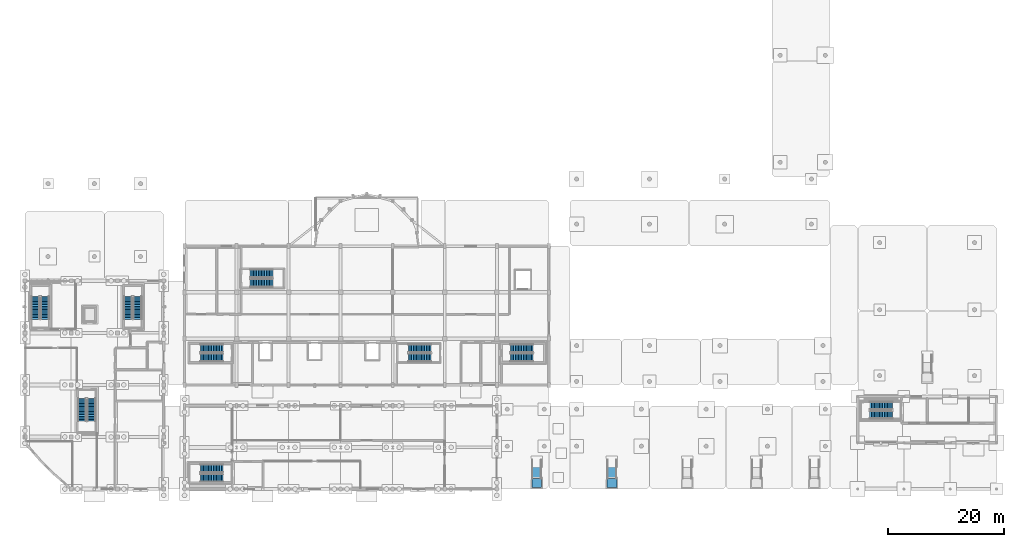
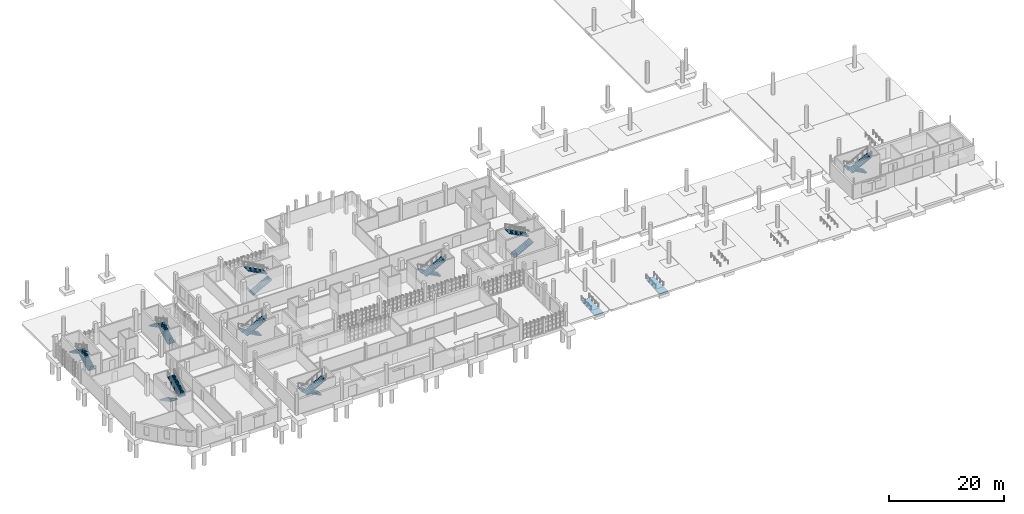
# One storey, part 47 of 63: 18 stair flights, 2 ramps, 2 ramp flights, 9 elements without a shape of their own.
"""IFC4 building model written with IfcOpenShell, lengths in metres."""

from ifc_helpers import new_model, si_unit, direction, frame, origin, place, context, subcontext, project, spatial, polyline, outline, extrude, material, layer, layer_set, type_object, element, aggregate, save


model = new_model("IFC4")

# Units and contexts
model_context = context("Model", 3, precision=1e-05, world=origin(), true_north=direction((0.0, 1.0)))
body_context = subcontext(model_context, "Body", "Model", "MODEL_VIEW")
ifc_project = project(units=[si_unit("LENGTHUNIT", "METRE"), si_unit("AREAUNIT", "SQUARE_METRE"), si_unit("VOLUMEUNIT", "CUBIC_METRE"), si_unit("PLANEANGLEUNIT", "RADIAN"), si_unit("MASSUNIT", "GRAM", prefix="KILO")], contexts=[model_context])

# Site, building, storey
site_placement = place(None, origin())
site = spatial("IfcSite", under=ifc_project, at=site_placement, CompositionType="ELEMENT")
building_placement = place(site_placement, origin())
building = spatial("IfcBuilding", under=site, at=building_placement, Name="Serraforn Aerial Cableway Station", CompositionType="ELEMENT")
storey_placement = place(building_placement, origin())
storey = spatial("IfcBuildingStorey", under=building, at=storey_placement, Name="L00", CompositionType="ELEMENT", Elevation=0.0)

# Stair, stair flights
ifc_material = material(Name="Concrete C35/45", Category="concrete")
stair_type_1 = type_object("IfcStairType", Name="STR-DL-1", PredefinedType="HALF_TURN_STAIR", material=ifc_material)
stair_1_placement = place(storey_placement, origin())
stair_1 = element("IfcStair", 1, at=stair_1_placement, inside=storey, type_object=stair_type_1, Name="L00 West Wing North Exit Stair 1", PredefinedType="HALF_TURN_STAIR")
stair_flight_type_1 = type_object("IfcStairFlightType", Name="SFL-DL-1", PredefinedType="STRAIGHT", material=ifc_material)
stair_flight_1_placement = place(storey_placement, frame((3.47509765625, 29.35009765625, 0.0), z_axis=(0.0, 0.0, 1.0), x_axis=(0.0, 1.0, 0.0)))
stair_flight_1 = element("IfcStairFlight", 2, at=stair_flight_1_placement, type_object=stair_flight_type_1, Name="ST-01 flight 1", NumberOfRisers=15, NumberOfTreads=14, PredefinedType="STRAIGHT", RiserHeight=0.15, TreadLength=0.28, context=body_context, shape_type="SweptSolid", body=[
    extrude(outline(polyline([(0.0, 0.0), (0.0, 0.14990234375), (0.280029296875, 0.14990234375), (0.280029296875, 0.300048828125), (0.56005859375, 0.300048828125), (0.56005859375, 0.449951171875), (0.840087890625, 0.449951171875), (0.840087890625, 0.60009765625), (1.1201171875, 0.60009765625), (1.1201171875, 0.75), (1.39990234375, 0.75), (1.39990234375, 0.89990234375), (1.679931640625, 0.89990234375), (1.679931640625, 1.050048828125), (1.9599609375, 1.050048828125), (1.9599609375, 1.199951171875), (2.239990234375, 1.199951171875), (2.239990234375, 1.35009765625), (2.52001953125, 1.35009765625), (2.52001953125, 1.5), (2.800048828125, 1.5), (2.800048828125, 1.64990234375), (3.080078125, 1.64990234375), (3.080078125, 1.800048828125), (3.360107421875, 1.800048828125), (3.360107421875, 1.949951171875), (3.639892578125, 1.949951171875), (3.639892578125, 2.10009765625), (3.919921875, 2.10009765625), (3.919921875, 2.25), (3.919921875, 1.929931640625), (0.3173828125, 0.0), (0.0, 0.0)])), frame((0.0, 0.72509765625, 0.0), z_axis=(0.0, -1.0, 0.0), x_axis=(1.0, 0.0, 0.0)), (0.0, 0.0, 1.0), 1.449951171875),
])
stair_flight_2_placement = place(storey_placement, frame((1.864990234375, 33.27001953125, 2.25), z_axis=(0.0, 0.0, 1.0), x_axis=(0.0, -1.0, 0.0)))
stair_flight_2 = element("IfcStairFlight", 3, at=stair_flight_2_placement, type_object=stair_flight_type_1, Name="ST-01 flight 2", NumberOfRisers=15, NumberOfTreads=14, PredefinedType="STRAIGHT", RiserHeight=0.15, TreadLength=0.28, context=body_context, shape_type="SweptSolid", body=[
    extrude(outline(polyline([(0.0, 0.0), (0.0, 0.14990234375), (0.280029296875, 0.14990234375), (0.280029296875, 0.300048828125), (0.56005859375, 0.300048828125), (0.56005859375, 0.449951171875), (0.840087890625, 0.449951171875), (0.840087890625, 0.60009765625), (1.1201171875, 0.60009765625), (1.1201171875, 0.75), (1.39990234375, 0.75), (1.39990234375, 0.89990234375), (1.679931640625, 0.89990234375), (1.679931640625, 1.050048828125), (1.9599609375, 1.050048828125), (1.9599609375, 1.199951171875), (2.239990234375, 1.199951171875), (2.239990234375, 1.35009765625), (2.52001953125, 1.35009765625), (2.52001953125, 1.5), (2.800048828125, 1.5), (2.800048828125, 1.64990234375), (3.080078125, 1.64990234375), (3.080078125, 1.800048828125), (3.360107421875, 1.800048828125), (3.360107421875, 1.949951171875), (3.639892578125, 1.949951171875), (3.639892578125, 2.10009765625), (3.919921875, 2.10009765625), (3.919921875, 2.25), (3.919921875, 1.929931640625), (0.3173828125, 0.0), (0.0, 0.0)])), frame((0.0, 0.72509765625, 0.0), z_axis=(0.0, -1.0, 0.0), x_axis=(1.0, 0.0, 0.0)), (0.0, 0.0, 1.0), 1.449951171875),
])
aggregate(stair_1, [stair_flight_1, stair_flight_2])

stair_2_placement = place(storey_placement, origin())
stair_2 = element("IfcStair", 4, at=stair_2_placement, inside=storey, type_object=stair_type_1, Name="L00 Vault West Protected Exit Stair 3", PredefinedType="HALF_TURN_STAIR")
stair_flight_3_placement = place(storey_placement, frame((34.25, 24.3349609375, 0.0), z_axis=(0.0, 0.0, 1.0), x_axis=(-1.0, 0.0, 0.0)))
stair_flight_3 = element("IfcStairFlight", 5, at=stair_flight_3_placement, type_object=stair_flight_type_1, Name="ST-03 flight 1", NumberOfRisers=15, NumberOfTreads=14, PredefinedType="STRAIGHT", RiserHeight=0.15, TreadLength=0.28, context=body_context, shape_type="SweptSolid", body=[
    extrude(outline(polyline([(0.0, 0.0), (0.0, 0.14990234375), (0.280029296875, 0.14990234375), (0.280029296875, 0.300048828125), (0.56005859375, 0.300048828125), (0.56005859375, 0.449951171875), (0.840087890625, 0.449951171875), (0.840087890625, 0.60009765625), (1.1201171875, 0.60009765625), (1.1201171875, 0.75), (1.39990234375, 0.75), (1.39990234375, 0.89990234375), (1.679931640625, 0.89990234375), (1.679931640625, 1.050048828125), (1.9599609375, 1.050048828125), (1.9599609375, 1.199951171875), (2.239990234375, 1.199951171875), (2.239990234375, 1.35009765625), (2.52001953125, 1.35009765625), (2.52001953125, 1.5), (2.800048828125, 1.5), (2.800048828125, 1.64990234375), (3.080078125, 1.64990234375), (3.080078125, 1.800048828125), (3.360107421875, 1.800048828125), (3.360107421875, 1.949951171875), (3.639892578125, 1.949951171875), (3.639892578125, 2.10009765625), (3.919921875, 2.10009765625), (3.919921875, 2.25), (3.919921875, 1.929931640625), (0.3173828125, 0.0), (0.0, 0.0)])), frame((0.0, 0.72509765625, 0.0), z_axis=(0.0, -1.0, 0.0), x_axis=(1.0, 0.0, 0.0)), (0.0, 0.0, 1.0), 1.449951171875),
])
stair_flight_4_placement = place(storey_placement, frame((30.330078125, 22.72509765625, 2.25), z_axis=(0.0, 0.0, 1.0), x_axis=(1.0, 0.0, 0.0)))
stair_flight_4 = element("IfcStairFlight", 6, at=stair_flight_4_placement, type_object=stair_flight_type_1, Name="ST-03 flight 2", NumberOfRisers=15, NumberOfTreads=14, PredefinedType="STRAIGHT", RiserHeight=0.15, TreadLength=0.28, context=body_context, shape_type="SweptSolid", body=[
    extrude(outline(polyline([(0.0, 0.0), (0.0, 0.14990234375), (0.280029296875, 0.14990234375), (0.280029296875, 0.300048828125), (0.56005859375, 0.300048828125), (0.56005859375, 0.449951171875), (0.840087890625, 0.449951171875), (0.840087890625, 0.60009765625), (1.1201171875, 0.60009765625), (1.1201171875, 0.75), (1.39990234375, 0.75), (1.39990234375, 0.89990234375), (1.679931640625, 0.89990234375), (1.679931640625, 1.050048828125), (1.9599609375, 1.050048828125), (1.9599609375, 1.199951171875), (2.239990234375, 1.199951171875), (2.239990234375, 1.35009765625), (2.52001953125, 1.35009765625), (2.52001953125, 1.5), (2.800048828125, 1.5), (2.800048828125, 1.64990234375), (3.080078125, 1.64990234375), (3.080078125, 1.800048828125), (3.360107421875, 1.800048828125), (3.360107421875, 1.949951171875), (3.639892578125, 1.949951171875), (3.639892578125, 2.10009765625), (3.919921875, 2.10009765625), (3.919921875, 2.25), (3.919921875, 1.929931640625), (0.3173828125, 0.0), (0.0, 0.0)])), frame((0.0, 0.72509765625, 0.0), z_axis=(0.0, -1.0, 0.0), x_axis=(1.0, 0.0, 0.0)), (0.0, 0.0, 1.0), 1.449951171875),
])
aggregate(stair_2, [stair_flight_3, stair_flight_4])

stair_3_placement = place(storey_placement, origin())
stair_3 = element("IfcStair", 7, at=stair_3_placement, inside=storey, type_object=stair_type_1, Name="L00 Vault East Protected Exit Stair 13", PredefinedType="HALF_TURN_STAIR")
stair_flight_5_placement = place(storey_placement, frame((83.949951171875, 22.72509765625, 0.0), z_axis=(0.0, 0.0, 1.0), x_axis=(1.0, 0.0, 0.0)))
stair_flight_5 = element("IfcStairFlight", 8, at=stair_flight_5_placement, type_object=stair_flight_type_1, Name="ST-13 flight 1", NumberOfRisers=15, NumberOfTreads=14, PredefinedType="STRAIGHT", RiserHeight=0.15, TreadLength=0.28, context=body_context, shape_type="SweptSolid", body=[
    extrude(outline(polyline([(0.0, 0.0), (0.0, 0.14990234375), (0.280029296875, 0.14990234375), (0.280029296875, 0.300048828125), (0.56005859375, 0.300048828125), (0.56005859375, 0.449951171875), (0.840087890625, 0.449951171875), (0.840087890625, 0.60009765625), (1.1201171875, 0.60009765625), (1.1201171875, 0.75), (1.39990234375, 0.75), (1.39990234375, 0.89990234375), (1.679931640625, 0.89990234375), (1.679931640625, 1.050048828125), (1.9599609375, 1.050048828125), (1.9599609375, 1.199951171875), (2.239990234375, 1.199951171875), (2.239990234375, 1.35009765625), (2.52001953125, 1.35009765625), (2.52001953125, 1.5), (2.800048828125, 1.5), (2.800048828125, 1.64990234375), (3.080078125, 1.64990234375), (3.080078125, 1.800048828125), (3.360107421875, 1.800048828125), (3.360107421875, 1.949951171875), (3.639892578125, 1.949951171875), (3.639892578125, 2.10009765625), (3.919921875, 2.10009765625), (3.919921875, 2.25), (3.919921875, 1.929931640625), (0.3173828125, 0.0), (0.0, 0.0)])), frame((0.0, 0.72509765625, 0.0), z_axis=(0.0, -1.0, 0.0), x_axis=(1.0, 0.0, 0.0)), (0.0, 0.0, 1.0), 1.449951171875),
])
stair_flight_6_placement = place(storey_placement, frame((87.8701171875, 24.3349609375, 2.25), z_axis=(0.0, 0.0, 1.0), x_axis=(-1.0, 0.0, 0.0)))
stair_flight_6 = element("IfcStairFlight", 9, at=stair_flight_6_placement, type_object=stair_flight_type_1, Name="ST-13 flight 2", NumberOfRisers=15, NumberOfTreads=14, PredefinedType="STRAIGHT", RiserHeight=0.15, TreadLength=0.28, context=body_context, shape_type="SweptSolid", body=[
    extrude(outline(polyline([(0.0, 0.0), (0.0, 0.14990234375), (0.280029296875, 0.14990234375), (0.280029296875, 0.300048828125), (0.56005859375, 0.300048828125), (0.56005859375, 0.449951171875), (0.840087890625, 0.449951171875), (0.840087890625, 0.60009765625), (1.1201171875, 0.60009765625), (1.1201171875, 0.75), (1.39990234375, 0.75), (1.39990234375, 0.89990234375), (1.679931640625, 0.89990234375), (1.679931640625, 1.050048828125), (1.9599609375, 1.050048828125), (1.9599609375, 1.199951171875), (2.239990234375, 1.199951171875), (2.239990234375, 1.35009765625), (2.52001953125, 1.35009765625), (2.52001953125, 1.5), (2.800048828125, 1.5), (2.800048828125, 1.64990234375), (3.080078125, 1.64990234375), (3.080078125, 1.800048828125), (3.360107421875, 1.800048828125), (3.360107421875, 1.949951171875), (3.639892578125, 1.949951171875), (3.639892578125, 2.10009765625), (3.919921875, 2.10009765625), (3.919921875, 2.25), (3.919921875, 1.929931640625), (0.3173828125, 0.0), (0.0, 0.0)])), frame((0.0, 0.72509765625, 0.0), z_axis=(0.0, -1.0, 0.0), x_axis=(1.0, 0.0, 0.0)), (0.0, 0.0, 1.0), 1.449951171875),
])
aggregate(stair_3, [stair_flight_5, stair_flight_6])

stair_type_2 = type_object("IfcStairType", Name="STR-DL-2", PredefinedType="HALF_TURN_STAIR", material=ifc_material)
stair_4_placement = place(storey_placement, origin())
stair_4 = element("IfcStair", 10, at=stair_4_placement, inside=storey, type_object=stair_type_2, Name="L00 West Wing East Exit Stair 2", PredefinedType="HALF_TURN_STAIR")
stair_flight_type_2 = type_object("IfcStairFlightType", Name="SFL-DL-2", PredefinedType="STRAIGHT", material=ifc_material)
stair_flight_7_placement = place(storey_placement, frame((19.47509765625, 29.35009765625, 0.0), z_axis=(0.0, 0.0, 1.0), x_axis=(0.0, 1.0, 0.0)))
stair_flight_7 = element("IfcStairFlight", 11, at=stair_flight_7_placement, type_object=stair_flight_type_2, Name="ST-02 flight 1", NumberOfRisers=15, NumberOfTreads=14, PredefinedType="STRAIGHT", RiserHeight=0.15, TreadLength=0.28, context=body_context, shape_type="SweptSolid", body=[
    extrude(outline(polyline([(0.0, 0.0), (0.0, 0.14990234375), (0.280029296875, 0.14990234375), (0.280029296875, 0.300048828125), (0.56005859375, 0.300048828125), (0.56005859375, 0.449951171875), (0.840087890625, 0.449951171875), (0.840087890625, 0.60009765625), (1.1201171875, 0.60009765625), (1.1201171875, 0.75), (1.39990234375, 0.75), (1.39990234375, 0.89990234375), (1.679931640625, 0.89990234375), (1.679931640625, 1.050048828125), (1.9599609375, 1.050048828125), (1.9599609375, 1.199951171875), (2.239990234375, 1.199951171875), (2.239990234375, 1.35009765625), (2.52001953125, 1.35009765625), (2.52001953125, 1.5), (2.800048828125, 1.5), (2.800048828125, 1.64990234375), (3.080078125, 1.64990234375), (3.080078125, 1.800048828125), (3.360107421875, 1.800048828125), (3.360107421875, 1.949951171875), (3.639892578125, 1.949951171875), (3.639892578125, 2.10009765625), (3.919921875, 2.10009765625), (3.919921875, 2.25), (3.919921875, 1.929931640625), (0.3173828125, 0.0), (0.0, 0.0)])), frame((0.0, 0.72509765625, 0.0), z_axis=(0.0, -1.0, 0.0), x_axis=(1.0, 0.0, 0.0)), (0.0, 0.0, 1.0), 1.449951171875),
])
stair_flight_8_placement = place(storey_placement, frame((17.864990234375, 33.27001953125, 2.25), z_axis=(0.0, 0.0, 1.0), x_axis=(0.0, -1.0, 0.0)))
stair_flight_8 = element("IfcStairFlight", 12, at=stair_flight_8_placement, type_object=stair_flight_type_2, Name="ST-02 flight 2", NumberOfRisers=15, NumberOfTreads=14, PredefinedType="STRAIGHT", RiserHeight=0.15, TreadLength=0.28, context=body_context, shape_type="SweptSolid", body=[
    extrude(outline(polyline([(0.0, 0.0), (0.0, 0.14990234375), (0.280029296875, 0.14990234375), (0.280029296875, 0.300048828125), (0.56005859375, 0.300048828125), (0.56005859375, 0.449951171875), (0.840087890625, 0.449951171875), (0.840087890625, 0.60009765625), (1.1201171875, 0.60009765625), (1.1201171875, 0.75), (1.39990234375, 0.75), (1.39990234375, 0.89990234375), (1.679931640625, 0.89990234375), (1.679931640625, 1.050048828125), (1.9599609375, 1.050048828125), (1.9599609375, 1.199951171875), (2.239990234375, 1.199951171875), (2.239990234375, 1.35009765625), (2.52001953125, 1.35009765625), (2.52001953125, 1.5), (2.800048828125, 1.5), (2.800048828125, 1.64990234375), (3.080078125, 1.64990234375), (3.080078125, 1.800048828125), (3.360107421875, 1.800048828125), (3.360107421875, 1.949951171875), (3.639892578125, 1.949951171875), (3.639892578125, 2.10009765625), (3.919921875, 2.10009765625), (3.919921875, 2.25), (3.919921875, 1.929931640625), (0.3173828125, 0.0), (0.0, 0.0)])), frame((0.0, 0.72509765625, 0.0), z_axis=(0.0, -1.0, 0.0), x_axis=(1.0, 0.0, 0.0)), (0.0, 0.0, 1.0), 1.449951171875),
])
aggregate(stair_4, [stair_flight_7, stair_flight_8])

stair_5_placement = place(storey_placement, origin())
stair_5 = element("IfcStair", 13, at=stair_5_placement, inside=storey, type_object=stair_type_2, Name="L00 Vault Central West Exit Stair 4", PredefinedType="HALF_TURN_STAIR")
stair_flight_9_placement = place(storey_placement, frame((38.949951171875, 35.625, 0.0), z_axis=(0.0, 0.0, 1.0), x_axis=(1.0, 0.0, 0.0)))
stair_flight_9 = element("IfcStairFlight", 14, at=stair_flight_9_placement, type_object=stair_flight_type_2, Name="ST-04 flight 1", NumberOfRisers=15, NumberOfTreads=14, PredefinedType="STRAIGHT", RiserHeight=0.15, TreadLength=0.28, context=body_context, shape_type="SweptSolid", body=[
    extrude(outline(polyline([(0.0, 0.0), (0.0, 0.14990234375), (0.280029296875, 0.14990234375), (0.280029296875, 0.300048828125), (0.56005859375, 0.300048828125), (0.56005859375, 0.449951171875), (0.840087890625, 0.449951171875), (0.840087890625, 0.60009765625), (1.1201171875, 0.60009765625), (1.1201171875, 0.75), (1.39990234375, 0.75), (1.39990234375, 0.89990234375), (1.679931640625, 0.89990234375), (1.679931640625, 1.050048828125), (1.9599609375, 1.050048828125), (1.9599609375, 1.199951171875), (2.239990234375, 1.199951171875), (2.239990234375, 1.35009765625), (2.52001953125, 1.35009765625), (2.52001953125, 1.5), (2.800048828125, 1.5), (2.800048828125, 1.64990234375), (3.080078125, 1.64990234375), (3.080078125, 1.800048828125), (3.360107421875, 1.800048828125), (3.360107421875, 1.949951171875), (3.639892578125, 1.949951171875), (3.639892578125, 2.10009765625), (3.919921875, 2.10009765625), (3.919921875, 2.25), (3.919921875, 1.929931640625), (0.3173828125, 0.0), (0.0, 0.0)])), frame((0.0, 0.72509765625, 0.0), z_axis=(0.0, -1.0, 0.0), x_axis=(1.0, 0.0, 0.0)), (0.0, 0.0, 1.0), 1.449951171875),
])
stair_flight_10_placement = place(storey_placement, frame((42.8701171875, 37.235107421875, 2.25), z_axis=(0.0, 0.0, 1.0), x_axis=(-1.0, 0.0, 0.0)))
stair_flight_10 = element("IfcStairFlight", 15, at=stair_flight_10_placement, type_object=stair_flight_type_2, Name="ST-04 flight 2", NumberOfRisers=15, NumberOfTreads=14, PredefinedType="STRAIGHT", RiserHeight=0.15, TreadLength=0.28, context=body_context, shape_type="SweptSolid", body=[
    extrude(outline(polyline([(0.0, 0.0), (0.0, 0.14990234375), (0.280029296875, 0.14990234375), (0.280029296875, 0.300048828125), (0.56005859375, 0.300048828125), (0.56005859375, 0.449951171875), (0.840087890625, 0.449951171875), (0.840087890625, 0.60009765625), (1.1201171875, 0.60009765625), (1.1201171875, 0.75), (1.39990234375, 0.75), (1.39990234375, 0.89990234375), (1.679931640625, 0.89990234375), (1.679931640625, 1.050048828125), (1.9599609375, 1.050048828125), (1.9599609375, 1.199951171875), (2.239990234375, 1.199951171875), (2.239990234375, 1.35009765625), (2.52001953125, 1.35009765625), (2.52001953125, 1.5), (2.800048828125, 1.5), (2.800048828125, 1.64990234375), (3.080078125, 1.64990234375), (3.080078125, 1.800048828125), (3.360107421875, 1.800048828125), (3.360107421875, 1.949951171875), (3.639892578125, 1.949951171875), (3.639892578125, 2.10009765625), (3.919921875, 2.10009765625), (3.919921875, 2.25), (3.919921875, 1.929931640625), (0.3173828125, 0.0), (0.0, 0.0)])), frame((0.0, 0.72509765625, 0.0), z_axis=(0.0, -1.0, 0.0), x_axis=(1.0, 0.0, 0.0)), (0.0, 0.0, 1.0), 1.449951171875),
])
aggregate(stair_5, [stair_flight_9, stair_flight_10])

stair_6_placement = place(storey_placement, origin())
stair_6 = element("IfcStair", 16, at=stair_6_placement, inside=storey, type_object=stair_type_2, Name="L00 Ticket Concourse Grand Stair 6", PredefinedType="HALF_TURN_STAIR")
stair_flight_11_placement = place(storey_placement, frame((34.25, 3.534912109375, 0.0), z_axis=(0.0, 0.0, 1.0), x_axis=(-1.0, 0.0, 0.0)))
stair_flight_11 = element("IfcStairFlight", 17, at=stair_flight_11_placement, type_object=stair_flight_type_2, Name="ST-06 flight 1", NumberOfRisers=15, NumberOfTreads=14, PredefinedType="STRAIGHT", RiserHeight=0.15, TreadLength=0.28, context=body_context, shape_type="SweptSolid", body=[
    extrude(outline(polyline([(0.0, 0.0), (0.0, 0.14990234375), (0.280029296875, 0.14990234375), (0.280029296875, 0.300048828125), (0.56005859375, 0.300048828125), (0.56005859375, 0.449951171875), (0.840087890625, 0.449951171875), (0.840087890625, 0.60009765625), (1.1201171875, 0.60009765625), (1.1201171875, 0.75), (1.39990234375, 0.75), (1.39990234375, 0.89990234375), (1.679931640625, 0.89990234375), (1.679931640625, 1.050048828125), (1.9599609375, 1.050048828125), (1.9599609375, 1.199951171875), (2.239990234375, 1.199951171875), (2.239990234375, 1.35009765625), (2.52001953125, 1.35009765625), (2.52001953125, 1.5), (2.800048828125, 1.5), (2.800048828125, 1.64990234375), (3.080078125, 1.64990234375), (3.080078125, 1.800048828125), (3.360107421875, 1.800048828125), (3.360107421875, 1.949951171875), (3.639892578125, 1.949951171875), (3.639892578125, 2.10009765625), (3.919921875, 2.10009765625), (3.919921875, 2.25), (3.919921875, 1.929931640625), (0.3173828125, 0.0), (0.0, 0.0)])), frame((0.0, 0.72509765625, 0.0), z_axis=(0.0, -1.0, 0.0), x_axis=(1.0, 0.0, 0.0)), (0.0, 0.0, 1.0), 1.449951171875),
])
stair_flight_12_placement = place(storey_placement, frame((30.330078125, 1.925048828125, 2.25), z_axis=(0.0, 0.0, 1.0), x_axis=(1.0, 0.0, 0.0)))
stair_flight_12 = element("IfcStairFlight", 18, at=stair_flight_12_placement, type_object=stair_flight_type_2, Name="ST-06 flight 2", NumberOfRisers=15, NumberOfTreads=14, PredefinedType="STRAIGHT", RiserHeight=0.15, TreadLength=0.28, context=body_context, shape_type="SweptSolid", body=[
    extrude(outline(polyline([(0.0, 0.0), (0.0, 0.14990234375), (0.280029296875, 0.14990234375), (0.280029296875, 0.300048828125), (0.56005859375, 0.300048828125), (0.56005859375, 0.449951171875), (0.840087890625, 0.449951171875), (0.840087890625, 0.60009765625), (1.1201171875, 0.60009765625), (1.1201171875, 0.75), (1.39990234375, 0.75), (1.39990234375, 0.89990234375), (1.679931640625, 0.89990234375), (1.679931640625, 1.050048828125), (1.9599609375, 1.050048828125), (1.9599609375, 1.199951171875), (2.239990234375, 1.199951171875), (2.239990234375, 1.35009765625), (2.52001953125, 1.35009765625), (2.52001953125, 1.5), (2.800048828125, 1.5), (2.800048828125, 1.64990234375), (3.080078125, 1.64990234375), (3.080078125, 1.800048828125), (3.360107421875, 1.800048828125), (3.360107421875, 1.949951171875), (3.639892578125, 1.949951171875), (3.639892578125, 2.10009765625), (3.919921875, 2.10009765625), (3.919921875, 2.25), (3.919921875, 1.929931640625), (0.3173828125, 0.0), (0.0, 0.0)])), frame((0.0, 0.72509765625, 0.0), z_axis=(0.0, -1.0, 0.0), x_axis=(1.0, 0.0, 0.0)), (0.0, 0.0, 1.0), 1.449951171875),
])
aggregate(stair_6, [stair_flight_11, stair_flight_12])

stair_type_3 = type_object("IfcStairType", Name="STR-DL-3", PredefinedType="HALF_TURN_STAIR", material=ifc_material)
stair_7_placement = place(storey_placement, origin())
stair_7 = element("IfcStair", 19, at=stair_7_placement, inside=storey, type_object=stair_type_3, Name="L00 West Wing South Concourse Stair 12", PredefinedType="HALF_TURN_STAIR")
stair_flight_type_3 = type_object("IfcStairFlightType", Name="SFL-DL-3", PredefinedType="STRAIGHT", material=ifc_material)
stair_flight_13_placement = place(storey_placement, frame((9.864990234375, 15.64990234375, 0.0), z_axis=(0.0, 0.0, 1.0), x_axis=(0.0, -1.0, 0.0)))
stair_flight_13 = element("IfcStairFlight", 20, at=stair_flight_13_placement, type_object=stair_flight_type_3, Name="ST-12 flight 1", NumberOfRisers=15, NumberOfTreads=14, PredefinedType="STRAIGHT", RiserHeight=0.15, TreadLength=0.28, context=body_context, shape_type="SweptSolid", body=[
    extrude(outline(polyline([(0.0, 0.0), (0.0, 0.14990234375), (0.280029296875, 0.14990234375), (0.280029296875, 0.300048828125), (0.56005859375, 0.300048828125), (0.56005859375, 0.449951171875), (0.840087890625, 0.449951171875), (0.840087890625, 0.60009765625), (1.1201171875, 0.60009765625), (1.1201171875, 0.75), (1.39990234375, 0.75), (1.39990234375, 0.89990234375), (1.679931640625, 0.89990234375), (1.679931640625, 1.050048828125), (1.9599609375, 1.050048828125), (1.9599609375, 1.199951171875), (2.239990234375, 1.199951171875), (2.239990234375, 1.35009765625), (2.52001953125, 1.35009765625), (2.52001953125, 1.5), (2.800048828125, 1.5), (2.800048828125, 1.64990234375), (3.080078125, 1.64990234375), (3.080078125, 1.800048828125), (3.360107421875, 1.800048828125), (3.360107421875, 1.949951171875), (3.639892578125, 1.949951171875), (3.639892578125, 2.10009765625), (3.919921875, 2.10009765625), (3.919921875, 2.25), (3.919921875, 1.929931640625), (0.3173828125, 0.0), (0.0, 0.0)])), frame((0.0, 0.72509765625, 0.0), z_axis=(0.0, -1.0, 0.0), x_axis=(1.0, 0.0, 0.0)), (0.0, 0.0, 1.0), 1.449951171875),
])
stair_flight_14_placement = place(storey_placement, frame((11.47509765625, 11.72998046875, 2.25), z_axis=(0.0, 0.0, 1.0), x_axis=(0.0, 1.0, 0.0)))
stair_flight_14 = element("IfcStairFlight", 21, at=stair_flight_14_placement, type_object=stair_flight_type_3, Name="ST-12 flight 2", NumberOfRisers=15, NumberOfTreads=14, PredefinedType="STRAIGHT", RiserHeight=0.15, TreadLength=0.28, context=body_context, shape_type="SweptSolid", body=[
    extrude(outline(polyline([(0.0, 0.0), (0.0, 0.14990234375), (0.280029296875, 0.14990234375), (0.280029296875, 0.300048828125), (0.56005859375, 0.300048828125), (0.56005859375, 0.449951171875), (0.840087890625, 0.449951171875), (0.840087890625, 0.60009765625), (1.1201171875, 0.60009765625), (1.1201171875, 0.75), (1.39990234375, 0.75), (1.39990234375, 0.89990234375), (1.679931640625, 0.89990234375), (1.679931640625, 1.050048828125), (1.9599609375, 1.050048828125), (1.9599609375, 1.199951171875), (2.239990234375, 1.199951171875), (2.239990234375, 1.35009765625), (2.52001953125, 1.35009765625), (2.52001953125, 1.5), (2.800048828125, 1.5), (2.800048828125, 1.64990234375), (3.080078125, 1.64990234375), (3.080078125, 1.800048828125), (3.360107421875, 1.800048828125), (3.360107421875, 1.949951171875), (3.639892578125, 1.949951171875), (3.639892578125, 2.10009765625), (3.919921875, 2.10009765625), (3.919921875, 2.25), (3.919921875, 1.929931640625), (0.3173828125, 0.0), (0.0, 0.0)])), frame((0.0, 0.72509765625, 0.0), z_axis=(0.0, -1.0, 0.0), x_axis=(1.0, 0.0, 0.0)), (0.0, 0.0, 1.0), 1.449951171875),
])
aggregate(stair_7, [stair_flight_13, stair_flight_14])

stair_8_placement = place(storey_placement, origin())
stair_8 = element("IfcStair", 22, at=stair_8_placement, inside=storey, type_object=stair_type_3, Name="L00 Vault Central East Exit Stair 5", PredefinedType="HALF_TURN_STAIR")
stair_flight_15_placement = place(storey_placement, frame((70.25, 24.3349609375, 0.0), z_axis=(0.0, 0.0, 1.0), x_axis=(-1.0, 0.0, 0.0)))
stair_flight_15 = element("IfcStairFlight", 23, at=stair_flight_15_placement, type_object=stair_flight_type_3, Name="ST-05 flight 1", NumberOfRisers=15, NumberOfTreads=14, PredefinedType="STRAIGHT", RiserHeight=0.15, TreadLength=0.28, context=body_context, shape_type="SweptSolid", body=[
    extrude(outline(polyline([(0.0, 0.0), (0.0, 0.14990234375), (0.280029296875, 0.14990234375), (0.280029296875, 0.300048828125), (0.56005859375, 0.300048828125), (0.56005859375, 0.449951171875), (0.840087890625, 0.449951171875), (0.840087890625, 0.60009765625), (1.1201171875, 0.60009765625), (1.1201171875, 0.75), (1.39990234375, 0.75), (1.39990234375, 0.89990234375), (1.679931640625, 0.89990234375), (1.679931640625, 1.050048828125), (1.9599609375, 1.050048828125), (1.9599609375, 1.199951171875), (2.239990234375, 1.199951171875), (2.239990234375, 1.35009765625), (2.52001953125, 1.35009765625), (2.52001953125, 1.5), (2.800048828125, 1.5), (2.800048828125, 1.64990234375), (3.080078125, 1.64990234375), (3.080078125, 1.800048828125), (3.360107421875, 1.800048828125), (3.360107421875, 1.949951171875), (3.639892578125, 1.949951171875), (3.639892578125, 2.10009765625), (3.919921875, 2.10009765625), (3.919921875, 2.25), (3.919921875, 1.929931640625), (0.3173828125, 0.0), (0.0, 0.0)])), frame((0.0, 0.72509765625, 0.0), z_axis=(0.0, -1.0, 0.0), x_axis=(1.0, 0.0, 0.0)), (0.0, 0.0, 1.0), 1.449951171875),
])
stair_flight_16_placement = place(storey_placement, frame((66.330078125, 22.72509765625, 2.25), z_axis=(0.0, 0.0, 1.0), x_axis=(1.0, 0.0, 0.0)))
stair_flight_16 = element("IfcStairFlight", 24, at=stair_flight_16_placement, type_object=stair_flight_type_3, Name="ST-05 flight 2", NumberOfRisers=15, NumberOfTreads=14, PredefinedType="STRAIGHT", RiserHeight=0.15, TreadLength=0.28, context=body_context, shape_type="SweptSolid", body=[
    extrude(outline(polyline([(0.0, 0.0), (0.0, 0.14990234375), (0.280029296875, 0.14990234375), (0.280029296875, 0.300048828125), (0.56005859375, 0.300048828125), (0.56005859375, 0.449951171875), (0.840087890625, 0.449951171875), (0.840087890625, 0.60009765625), (1.1201171875, 0.60009765625), (1.1201171875, 0.75), (1.39990234375, 0.75), (1.39990234375, 0.89990234375), (1.679931640625, 0.89990234375), (1.679931640625, 1.050048828125), (1.9599609375, 1.050048828125), (1.9599609375, 1.199951171875), (2.239990234375, 1.199951171875), (2.239990234375, 1.35009765625), (2.52001953125, 1.35009765625), (2.52001953125, 1.5), (2.800048828125, 1.5), (2.800048828125, 1.64990234375), (3.080078125, 1.64990234375), (3.080078125, 1.800048828125), (3.360107421875, 1.800048828125), (3.360107421875, 1.949951171875), (3.639892578125, 1.949951171875), (3.639892578125, 2.10009765625), (3.919921875, 2.10009765625), (3.919921875, 2.25), (3.919921875, 1.929931640625), (0.3173828125, 0.0), (0.0, 0.0)])), frame((0.0, 0.72509765625, 0.0), z_axis=(0.0, -1.0, 0.0), x_axis=(1.0, 0.0, 0.0)), (0.0, 0.0, 1.0), 1.449951171875),
])
aggregate(stair_8, [stair_flight_15, stair_flight_16])

stair_9_placement = place(storey_placement, origin())
stair_9 = element("IfcStair", 25, at=stair_9_placement, inside=storey, type_object=stair_type_3, Name="L00 Forecourt Pavilion Stair 7", PredefinedType="HALF_TURN_STAIR")
stair_flight_17_placement = place(storey_placement, frame((150.0, 14.39990234375, 0.0), z_axis=(0.0, 0.0, 1.0), x_axis=(-1.0, 0.0, 0.0)))
stair_flight_17 = element("IfcStairFlight", 26, at=stair_flight_17_placement, type_object=stair_flight_type_3, Name="ST-07 flight 1", NumberOfRisers=15, NumberOfTreads=14, PredefinedType="STRAIGHT", RiserHeight=0.15, TreadLength=0.28, context=body_context, shape_type="SweptSolid", body=[
    extrude(outline(polyline([(0.0, 0.0), (0.0, 0.14990234375), (0.280029296875, 0.14990234375), (0.280029296875, 0.300048828125), (0.56005859375, 0.300048828125), (0.56005859375, 0.449951171875), (0.840087890625, 0.449951171875), (0.840087890625, 0.60009765625), (1.1201171875, 0.60009765625), (1.1201171875, 0.75), (1.39990234375, 0.75), (1.39990234375, 0.89990234375), (1.679931640625, 0.89990234375), (1.679931640625, 1.050048828125), (1.9599609375, 1.050048828125), (1.9599609375, 1.199951171875), (2.239990234375, 1.199951171875), (2.239990234375, 1.35009765625), (2.52001953125, 1.35009765625), (2.52001953125, 1.5), (2.800048828125, 1.5), (2.800048828125, 1.64990234375), (3.080078125, 1.64990234375), (3.080078125, 1.800048828125), (3.360107421875, 1.800048828125), (3.360107421875, 1.949951171875), (3.639892578125, 1.949951171875), (3.639892578125, 2.10009765625), (3.919921875, 2.10009765625), (3.919921875, 2.25), (3.919921875, 1.929931640625), (0.3173828125, 0.0), (0.0, 0.0)])), frame((0.0, 0.699951171875, 0.0), z_axis=(0.0, -1.0, 0.0), x_axis=(1.0, 0.0, 0.0)), (0.0, 0.0, 1.0), 1.39990234375),
])
stair_flight_18_placement = place(storey_placement, frame((146.080078125, 12.840087890625, 2.25), z_axis=(0.0, 0.0, 1.0), x_axis=(1.0, 0.0, 0.0)))
stair_flight_18 = element("IfcStairFlight", 27, at=stair_flight_18_placement, type_object=stair_flight_type_3, Name="ST-07 flight 2", NumberOfRisers=15, NumberOfTreads=14, PredefinedType="STRAIGHT", RiserHeight=0.15, TreadLength=0.28, context=body_context, shape_type="SweptSolid", body=[
    extrude(outline(polyline([(0.0, 0.0), (0.0, 0.14990234375), (0.280029296875, 0.14990234375), (0.280029296875, 0.300048828125), (0.56005859375, 0.300048828125), (0.56005859375, 0.449951171875), (0.840087890625, 0.449951171875), (0.840087890625, 0.60009765625), (1.1201171875, 0.60009765625), (1.1201171875, 0.75), (1.39990234375, 0.75), (1.39990234375, 0.89990234375), (1.679931640625, 0.89990234375), (1.679931640625, 1.050048828125), (1.9599609375, 1.050048828125), (1.9599609375, 1.199951171875), (2.239990234375, 1.199951171875), (2.239990234375, 1.35009765625), (2.52001953125, 1.35009765625), (2.52001953125, 1.5), (2.800048828125, 1.5), (2.800048828125, 1.64990234375), (3.080078125, 1.64990234375), (3.080078125, 1.800048828125), (3.360107421875, 1.800048828125), (3.360107421875, 1.949951171875), (3.639892578125, 1.949951171875), (3.639892578125, 2.10009765625), (3.919921875, 2.10009765625), (3.919921875, 2.25), (3.919921875, 1.929931640625), (0.3173828125, 0.0), (0.0, 0.0)])), frame((0.0, 0.699951171875, 0.0), z_axis=(0.0, -1.0, 0.0), x_axis=(1.0, 0.0, 0.0)), (0.0, 0.0, 1.0), 1.39990234375),
])
aggregate(stair_9, [stair_flight_17, stair_flight_18])

# Ramp
ifc_layer_1 = layer(ifc_material, 0.25)
ifc_layer_set_1 = layer_set([ifc_layer_1], Name="Concrete C35/45")
ramp_type = type_object("IfcRampType", Name="RMP-ACC-150", PredefinedType="STRAIGHT_RUN_RAMP", material=ifc_layer_set_1)
ramp_1_placement = place(storey_placement, frame((0.0, 0.0, -0.449951171875)))
ramp_1 = element("IfcRamp", 28, at=ramp_1_placement, inside=storey, type_object=ramp_type, Name="Step-Free Approach Ramp RMP-01", PredefinedType="STRAIGHT_RUN_RAMP", context=body_context, shape_type="SweptSolid", body=[
    extrude(outline(polyline([(87.64990234375, 0.300048828125), (89.35009765625, 0.300048828125), (89.35009765625, 1.820068359375), (87.64990234375, 1.820068359375), (87.64990234375, 0.300048828125)])), origin(), (0.0, 0.0, 1.0), 0.25),
])

ramp_2_placement = place(storey_placement, frame((0.0, 0.0, -0.449951171875)))
ramp_2 = element("IfcRamp", 29, at=ramp_2_placement, inside=storey, type_object=ramp_type, Name="Step-Free Approach Ramp RMP-02", PredefinedType="STRAIGHT_RUN_RAMP", context=body_context, shape_type="SweptSolid", body=[
    extrude(outline(polyline([(100.64990234375, 0.300048828125), (102.35009765625, 0.300048828125), (102.35009765625, 1.820068359375), (100.64990234375, 1.820068359375), (100.64990234375, 0.300048828125)])), origin(), (0.0, 0.0, 1.0), 0.25),
])

# Ramp flight
ifc_layer_2 = layer(ifc_material, 0.25)
ifc_layer_set_2 = layer_set([ifc_layer_2], Name="Concrete C35/45")
ramp_flight_type = type_object("IfcRampFlightType", Name="RMP-FLT-150", PredefinedType="STRAIGHT", material=ifc_layer_set_2)
ramp_flight_1_placement = place(storey_placement, frame((88.5, 1.800048828125, -0.199951171875), z_axis=(0.0, 0.0, 1.0), x_axis=(0.0, 1.0, 0.0)))
ramp_flight_1 = element("IfcRampFlight", 30, at=ramp_flight_1_placement, type_object=ramp_flight_type, Name="Accessible Ramp Flight RMP-01", PredefinedType="STRAIGHT", context=body_context, shape_type="SweptSolid", body=[
    extrude(outline(polyline([(0.0, 0.0), (3.219970703125, 0.199951171875), (3.219970703125, -0.050048828125), (0.0, -0.25), (0.0, 0.0)])), frame((0.0, 0.800048828125, 0.0), z_axis=(0.0, -1.0, 0.0), x_axis=(1.0, 0.0, 0.0)), (0.0, 0.0, 1.0), 1.60009765625),
])

aggregate(ramp_1, [ramp_flight_1])

ramp_flight_2_placement = place(storey_placement, frame((101.5, 1.800048828125, -0.199951171875), z_axis=(0.0, 0.0, 1.0), x_axis=(0.0, 1.0, 0.0)))
ramp_flight_2 = element("IfcRampFlight", 31, at=ramp_flight_2_placement, type_object=ramp_flight_type, Name="Accessible Ramp Flight RMP-02", PredefinedType="STRAIGHT", context=body_context, shape_type="SweptSolid", body=[
    extrude(outline(polyline([(0.0, 0.0), (3.219970703125, 0.199951171875), (3.219970703125, -0.050048828125), (0.0, -0.25), (0.0, 0.0)])), frame((0.0, 0.800048828125, 0.0), z_axis=(0.0, -1.0, 0.0), x_axis=(1.0, 0.0, 0.0)), (0.0, 0.0, 1.0), 1.60009765625),
])

aggregate(ramp_2, [ramp_flight_2])

save(model, "model.ifc")
